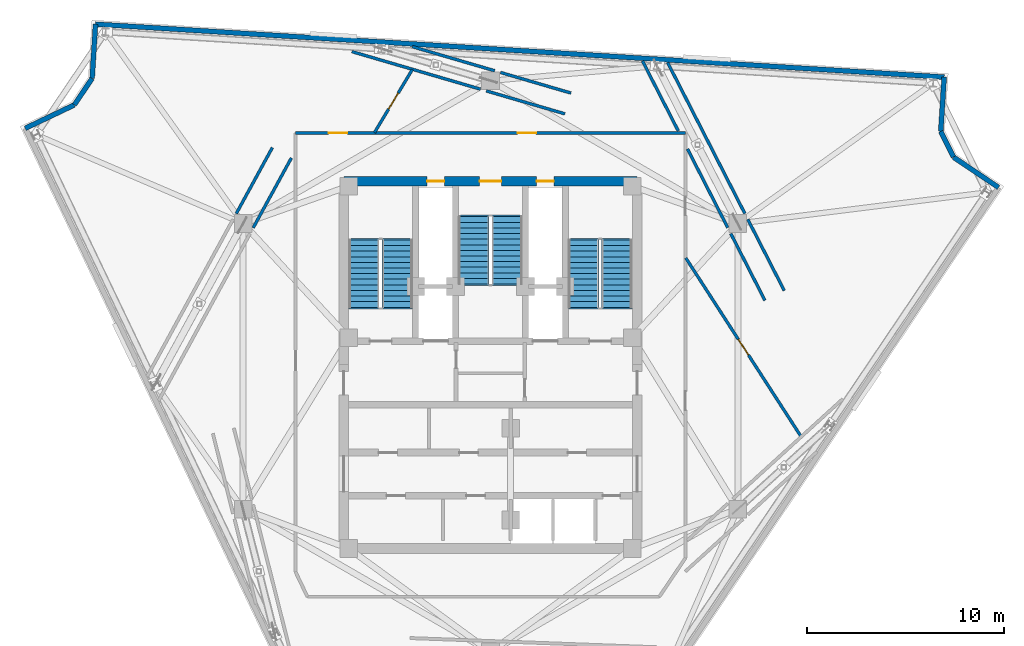
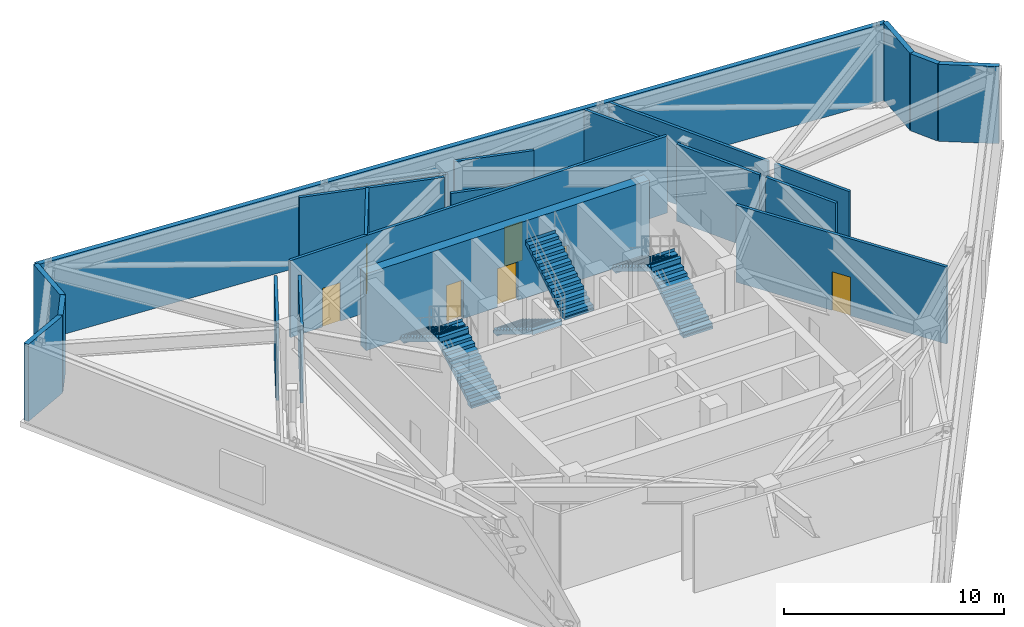
# One storey, part 9 of 11: 22 walls, 7 doors, 6 stair flights, 7 openings, 3 elements without a shape of their own.
"""IFC4 building model written with IfcOpenShell, lengths in metres."""

from ifc_helpers import new_model, si_unit, direction, frame, frame_2d, origin, place, context, subcontext, project, spatial, polyline, rectangle, outline, extrude, material, layer, layer_set, type_object, element, fill, aggregate, save


model = new_model("IFC4")

# Units and contexts
model_context = context("Model", 3, precision=1e-05, world=origin(), true_north=direction((0.0, 1.0)))
body_context = subcontext(model_context, "Body", "Model", "MODEL_VIEW")
ifc_project = project(units=[si_unit("LENGTHUNIT", "METRE"), si_unit("AREAUNIT", "SQUARE_METRE"), si_unit("VOLUMEUNIT", "CUBIC_METRE"), si_unit("PLANEANGLEUNIT", "RADIAN"), si_unit("MASSUNIT", "GRAM", prefix="KILO")], contexts=[model_context])

# Site, building, storey
site_placement = place(None, origin())
site = spatial("IfcSite", under=ifc_project, at=site_placement, CompositionType="ELEMENT")
building_placement = place(site_placement, origin())
building = spatial("IfcBuilding", under=site, at=building_placement, Name="Apsidion Concourse Tower", CompositionType="ELEMENT")
storey_placement = place(building_placement, frame((0.0, 0.0, 328.0)))
storey = spatial("IfcBuildingStorey", under=building, at=storey_placement, Name="L77", CompositionType="ELEMENT", Elevation=328.0)

# Walls
ifc_material_1 = material(Name="Precast concrete C40/50", Category="concrete")
ifc_layer_1 = layer(ifc_material_1, 0.25)
ifc_layer_set_1 = layer_set([ifc_layer_1], Name="Precast concrete C40/50")
wall_type_1 = type_object("IfcWallType", Name="WL-EXT-250", PredefinedType="STANDARD", material=ifc_layer_set_1)
wall_1_placement = place(storey_placement, frame((-20.056396484375, 17.376220703125, 0.0), z_axis=(0.0, 0.0, 1.0), x_axis=(0.998061236898, -0.06223959674, 0.0)))
element("IfcWall", 1, at=wall_1_placement, inside=storey, type_object=wall_type_1, Name="L77 Precast Stone Facade Wall 01", PredefinedType="STANDARD", context=body_context, shape_type="SweptSolid", body=[
    extrude(rectangle(XDim=43.179931640625, YDim=0.25, at=frame_2d((21.58984375, 0.0))), origin(), (0.0, 0.0, 1.0), 4.280029296875),
])
wall_2_placement = place(storey_placement, frame((23.039794921875, 14.688720703125, 0.0), z_axis=(0.0, 0.0, 1.0), x_axis=(-0.062295651102, -0.998057739739, 0.0)))
element("IfcWall", 2, at=wall_2_placement, inside=storey, type_object=wall_type_1, Name="L77 Precast Stone Facade Wall 02", PredefinedType="STANDARD", context=body_context, shape_type="SweptSolid", body=[
    extrude(rectangle(XDim=2.759033203125, YDim=0.25, at=frame_2d((1.37939453125, 0.0))), origin(), (0.0, 0.0, 1.0), 4.280029296875),
])
wall_3_placement = place(storey_placement, frame((22.867919921875, 11.93505859375, 0.0), z_axis=(0.0, 0.0, 1.0), x_axis=(0.441785524615, -0.897120699929, 0.0)))
element("IfcWall", 3, at=wall_3_placement, inside=storey, type_object=wall_type_1, Name="L77 Precast Stone Facade Wall 03", PredefinedType="STANDARD", context=body_context, shape_type="SweptSolid", body=[
    extrude(rectangle(XDim=1.45947265625, YDim=0.25, at=frame_2d((0.729736328125, 0.0))), origin(), (0.0, 0.0, 1.0), 4.280029296875),
])
wall_4_placement = place(storey_placement, frame((23.5126953125, 10.625732421875, 0.0), z_axis=(0.0, 0.0, 1.0), x_axis=(0.829056864924, -0.559164300294, 0.0)))
element("IfcWall", 4, at=wall_4_placement, inside=storey, type_object=wall_type_1, Name="L77 Precast Stone Facade Wall 04", PredefinedType="STANDARD", context=body_context, shape_type="SweptSolid", body=[
    extrude(rectangle(XDim=2.759033203125, YDim=0.25, at=frame_2d((1.37939453125, 0.0))), origin(), (0.0, 0.0, 1.0), 4.280029296875),
])
wall_5_placement = place(storey_placement, frame((-23.62451171875, 12.0869140625, 0.0), z_axis=(0.0, 0.0, 1.0), x_axis=(0.902092306117, 0.431543127909, 0.0)))
element("IfcWall", 5, at=wall_5_placement, inside=storey, type_object=wall_type_1, Name="L77 Precast Stone Facade Wall 10", PredefinedType="STANDARD", context=body_context, shape_type="SweptSolid", body=[
    extrude(rectangle(XDim=2.76025390625, YDim=0.25, at=frame_2d((1.380126953125, 0.0))), origin(), (0.0, 0.0, 1.0), 4.280029296875),
])
wall_6_placement = place(storey_placement, frame((-21.134521484375, 13.278076171875, 0.0), z_axis=(0.0, 0.0, 1.0), x_axis=(0.559107950815, 0.829094867512, 0.0)))
element("IfcWall", 6, at=wall_6_placement, inside=storey, type_object=wall_type_1, Name="L77 Precast Stone Facade Wall 11", PredefinedType="STANDARD", context=body_context, shape_type="SweptSolid", body=[
    extrude(rectangle(XDim=1.620361328125, YDim=0.25, at=frame_2d((0.81005859375, 0.0))), origin(), (0.0, 0.0, 1.0), 4.280029296875),
])
wall_7_placement = place(storey_placement, frame((-20.228515625, 14.62158203125, 0.0), z_axis=(0.0, 0.0, 1.0), x_axis=(0.062361765106, 0.998053610911, 0.0)))
element("IfcWall", 7, at=wall_7_placement, inside=storey, type_object=wall_type_1, Name="L77 Precast Stone Facade Wall 12", PredefinedType="STANDARD", context=body_context, shape_type="SweptSolid", body=[
    extrude(rectangle(XDim=2.760009765625, YDim=0.25, at=frame_2d((1.3798828125, 0.0))), origin(), (0.0, 0.0, 1.0), 4.280029296875),
])

# Wall, openings, doors
ifc_material_2 = material(Name="Gypsum plasterboard partition")
ifc_layer_2 = layer(ifc_material_2, 0.14990234375)
ifc_layer_set_2 = layer_set([ifc_layer_2], Name="Gypsum plasterboard partition")
wall_type_2 = type_object("IfcWallType", Name="WL-INT-PAR-150", PredefinedType="PARTITIONING", material=ifc_layer_set_2)
wall_8_placement = place(storey_placement, frame((-9.89990234375, 11.85009765625, 0.0), z_axis=(0.0, 0.0, 1.0), x_axis=(1.0, 0.0, 0.0)))
wall_8 = element("IfcWall", 8, at=wall_8_placement, inside=storey, type_object=wall_type_2, Name="L77 Interior Partition WL-L77-CORR-01", PredefinedType="PARTITIONING", context=body_context, shape_type="SweptSolid", body=[
    extrude(rectangle(XDim=19.7998046875, YDim=0.14990234375, at=frame_2d((9.89990234375, 0.0))), origin(), (0.0, 0.0, 1.0), 4.280029296875),
])
opening_1_placement = place(wall_8_placement, frame((11.2744140625, 0.0, 0.0)))
opening_1 = element("IfcOpeningElement", 9, at=opening_1_placement, cuts=wall_8, Name="Opening D-01R", PredefinedType="OPENING", context=body_context, shape_type="SweptSolid", body=[
    extrude(rectangle(XDim=0.949951171875, YDim=2.14990234375, at=frame_2d((0.47509765625, 1.074951171875))), frame((0.0, 0.0849609375, 0.0), z_axis=(0.0, -1.0, 0.0), x_axis=(1.0, 0.0, 0.0)), (0.0, 0.0, 1.0), 0.169921875),
])
opening_2_placement = place(wall_8_placement, frame((1.68115234375, 0.0, 0.0)))
opening_2 = element("IfcOpeningElement", 10, at=opening_2_placement, cuts=wall_8, Name="Opening D-01L", PredefinedType="OPENING", context=body_context, shape_type="SweptSolid", body=[
    extrude(rectangle(XDim=0.949951171875, YDim=2.14990234375, at=frame_2d((0.47509765625, 1.074951171875))), frame((0.0, 0.0849609375, 0.0), z_axis=(0.0, -1.0, 0.0), x_axis=(1.0, 0.0, 0.0)), (0.0, 0.0, 1.0), 0.169921875),
])
ifc_material_3 = material(Name="Brushed stainless steel 316", Category="steel")
door_type_1 = type_object("IfcDoorType", Name="DR-INT-D01L", OperationType="SINGLE_SWING_LEFT", PredefinedType="DOOR", material=ifc_material_3)
door_1_placement = place(opening_2_placement, origin())
door_1 = element("IfcDoor", 11, at=door_1_placement, inside=storey, type_object=door_type_1, Name="L77 Corridor Entry Door 05", OperationType="SINGLE_SWING_LEFT", OverallHeight=2.14990234375, OverallWidth=0.949951171875, PredefinedType="DOOR", context=body_context, shape_type="SweptSolid", body=[
    extrude(rectangle(XDim=0.949951171875, YDim=2.14990234375, at=frame_2d((0.47509765625, 1.074951171875))), frame((0.0, 0.02490234375, 0.0), z_axis=(0.0, -1.0, 0.0), x_axis=(1.0, 0.0, 0.0)), (0.0, 0.0, 1.0), 0.050048828125),
])
fill(opening_2, door_1)
door_type_2 = type_object("IfcDoorType", Name="DR-INT-D01R", OperationType="SINGLE_SWING_RIGHT", PredefinedType="DOOR", material=ifc_material_3)
door_2_placement = place(opening_1_placement, origin())
door_2 = element("IfcDoor", 12, at=door_2_placement, inside=storey, type_object=door_type_2, Name="L77 Corridor Entry Door 04", OperationType="SINGLE_SWING_RIGHT", OverallHeight=2.14990234375, OverallWidth=0.949951171875, PredefinedType="DOOR", context=body_context, shape_type="SweptSolid", body=[
    extrude(rectangle(XDim=0.949951171875, YDim=2.14990234375, at=frame_2d((0.47509765625, 1.074951171875))), frame((0.0, 0.02490234375, 0.0), z_axis=(0.0, -1.0, 0.0), x_axis=(1.0, 0.0, 0.0)), (0.0, 0.0, 1.0), 0.050048828125),
])
fill(opening_1, door_2)

# Walls
wall_9_placement = place(storey_placement, frame((14.91650390625, 3.85009765625, 0.0), z_axis=(0.0, 0.0, 1.0), x_axis=(-0.455310465754, 0.890332735428, 0.0)))
element("IfcWall", 13, at=wall_9_placement, inside=storey, type_object=wall_type_2, Name="L77 Interior Partition WL-L77-OTW-03-1-1", PredefinedType="PARTITIONING", context=body_context, shape_type="SweptSolid", body=[
    extrude(rectangle(XDim=4.055419921875, YDim=0.14990234375, at=frame_2d((2.02783203125, 0.0))), origin(), (0.0, 0.0, 1.0), 4.280029296875),
])
wall_10_placement = place(storey_placement, frame((12.9169921875, 7.760009765625, 0.0), z_axis=(0.0, 0.0, 1.0), x_axis=(-0.455340411298, 0.890317420833, 0.0)))
element("IfcWall", 14, at=wall_10_placement, inside=storey, type_object=wall_type_2, Name="L77 Interior Partition WL-L77-OTW-03-1-2", PredefinedType="PARTITIONING", context=body_context, shape_type="SweptSolid", body=[
    extrude(rectangle(XDim=8.608154296875, YDim=0.14990234375, at=frame_2d((4.30419921875, 0.0))), origin(), (0.0, 0.0, 1.0), 4.280029296875),
])
wall_11_placement = place(storey_placement, frame((13.937255859375, 3.34912109375, 0.0), z_axis=(0.0, 0.0, 1.0), x_axis=(-0.455323384795, 0.890326128595, 0.0)))
element("IfcWall", 15, at=wall_11_placement, inside=storey, type_object=wall_type_2, Name="L77 Interior Partition WL-L77-OTW-03-2-1", PredefinedType="PARTITIONING", context=body_context, shape_type="SweptSolid", body=[
    extrude(rectangle(XDim=3.80859375, YDim=0.14990234375, at=frame_2d((1.904296875, 0.0))), origin(), (0.0, 0.0, 1.0), 4.280029296875),
])
wall_12_placement = place(storey_placement, frame((12.050048828125, 7.039306640625, 0.0), z_axis=(0.0, 0.0, 1.0), x_axis=(-0.455348562817, 0.890313251806, 0.0)))
element("IfcWall", 16, at=wall_12_placement, inside=storey, type_object=wall_type_2, Name="L77 Interior Partition WL-L77-OTW-03-2-2", PredefinedType="PARTITIONING", context=body_context, shape_type="SweptSolid", body=[
    extrude(rectangle(XDim=4.491455078125, YDim=0.14990234375, at=frame_2d((2.24560546875, 0.0))), origin(), (0.0, 0.0, 1.0), 4.280029296875),
])
wall_13_placement = place(storey_placement, frame((9.5361328125, 11.955078125, 0.0), z_axis=(0.0, 0.0, 1.0), x_axis=(-0.455353871902, 0.890310536467, 0.0)))
element("IfcWall", 17, at=wall_13_placement, inside=storey, type_object=wall_type_2, Name="L77 Interior Partition WL-L77-OTW-03-2-3", PredefinedType="PARTITIONING", context=body_context, shape_type="SweptSolid", body=[
    extrude(rectangle(XDim=3.98583984375, YDim=0.14990234375, at=frame_2d((1.992919921875, 0.0))), origin(), (0.0, 0.0, 1.0), 4.280029296875),
])
wall_14_placement = place(storey_placement, frame((4.089599609375, 13.877685546875, 0.0), z_axis=(0.0, 0.0, 1.0), x_axis=(-0.959848819323, 0.280517814132, 0.0)))
element("IfcWall", 18, at=wall_14_placement, inside=storey, type_object=wall_type_2, Name="L77 Interior Partition WL-L77-OTW-04-1-1", PredefinedType="PARTITIONING", context=body_context, shape_type="SweptSolid", body=[
    extrude(rectangle(XDim=3.729248046875, YDim=0.14990234375, at=frame_2d((1.86474609375, 0.0))), origin(), (0.0, 0.0, 1.0), 4.280029296875),
])
wall_15_placement = place(storey_placement, frame((0.21533203125, 15.010009765625, 0.0), z_axis=(0.0, 0.0, 1.0), x_axis=(-0.959853703929, 0.280501099917, 0.0)))
element("IfcWall", 19, at=wall_15_placement, inside=storey, type_object=wall_type_2, Name="L77 Interior Partition WL-L77-OTW-04-1-2", PredefinedType="PARTITIONING", context=body_context, shape_type="SweptSolid", body=[
    extrude(rectangle(XDim=4.35888671875, YDim=0.14990234375, at=frame_2d((2.179443359375, 0.0))), origin(), (0.0, 0.0, 1.0), 3.64306640625),
])
wall_16_placement = place(storey_placement, frame((3.781005859375, 12.822021484375, 0.0), z_axis=(0.0, 0.0, 1.0), x_axis=(-0.959856062068, 0.280493030416, 0.0)))
element("IfcWall", 20, at=wall_16_placement, inside=storey, type_object=wall_type_2, Name="L77 Interior Partition WL-L77-OTW-04-2-1", PredefinedType="PARTITIONING", context=body_context, shape_type="SweptSolid", body=[
    extrude(rectangle(XDim=4.1640625, YDim=0.14990234375, at=frame_2d((2.08203125, 0.0))), origin(), (0.0, 0.0, 1.0), 3.327880859375),
])
wall_17_placement = place(storey_placement, frame((-0.510009765625, 14.075927734375, 0.0), z_axis=(0.0, 0.0, 1.0), x_axis=(-0.959853485046, 0.280501848914, 0.0)))
element("IfcWall", 21, at=wall_17_placement, inside=storey, type_object=wall_type_2, Name="L77 Interior Partition WL-L77-OTW-04-2-2", PredefinedType="PARTITIONING", context=body_context, shape_type="SweptSolid", body=[
    extrude(rectangle(XDim=6.79931640625, YDim=0.14990234375, at=frame_2d((3.399658203125, 0.0))), origin(), (0.0, 0.0, 1.0), 4.280029296875),
])
wall_18_placement = place(storey_placement, frame((-11.0751953125, 11.111083984375, 0.0), z_axis=(0.0, 0.0, 1.0), x_axis=(-0.479841556398, -0.877355162265, 0.0)))
element("IfcWall", 22, at=wall_18_placement, inside=storey, type_object=wall_type_2, Name="L77 Interior Partition WL-L77-OTW-05-1-1", PredefinedType="PARTITIONING", context=body_context, shape_type="SweptSolid", body=[
    extrude(rectangle(XDim=3.819580078125, YDim=0.14990234375, at=frame_2d((1.90966796875, 0.0))), origin(), (0.0, 0.0, 1.0), 4.280029296875),
])
wall_19_placement = place(storey_placement, frame((-10.110107421875, 10.583251953125, 0.0), z_axis=(0.0, 0.0, 1.0), x_axis=(-0.47985882828, -0.877345715737, 0.0)))
element("IfcWall", 23, at=wall_19_placement, inside=storey, type_object=wall_type_2, Name="L77 Interior Partition WL-L77-OTW-05-2-1", PredefinedType="PARTITIONING", context=body_context, shape_type="SweptSolid", body=[
    extrude(rectangle(XDim=4.042724609375, YDim=0.14990234375, at=frame_2d((2.021484375, 0.0))), origin(), (0.0, 0.0, 1.0), 4.280029296875),
])

# Wall, opening, door
wall_20_placement = place(storey_placement, frame((15.768310546875, -3.559814453125, 0.0), z_axis=(0.0, 0.0, 1.0), x_axis=(-0.542253184706, 0.840215141304, 0.0)))
wall_20 = element("IfcWall", 24, at=wall_20_placement, inside=storey, type_object=wall_type_2, Name="L77 Interior Partition WL-L77-CHD-PLS01", PredefinedType="PARTITIONING", context=body_context, shape_type="SweptSolid", body=[
    extrude(rectangle(XDim=10.785400390625, YDim=0.14990234375, at=frame_2d((5.392578125, 0.0))), origin(), (0.0, 0.0, 1.0), 4.280029296875),
])
opening_3_placement = place(wall_20_placement, frame((4.91748046875, 0.0, 0.0)))
opening_3 = element("IfcOpeningElement", 25, at=opening_3_placement, cuts=wall_20, Name="Opening D-04L", PredefinedType="OPENING", context=body_context, shape_type="SweptSolid", body=[
    extrude(rectangle(XDim=0.949951171875, YDim=2.14990234375, at=frame_2d((0.47509765625, 1.074951171875))), frame((0.0, 0.0849609375, 0.0), z_axis=(0.0, -1.0, 0.0), x_axis=(1.0, 0.0, 0.0)), (0.0, 0.0, 1.0), 0.169921875),
])
door_type_3 = type_object("IfcDoorType", Name="DR-INT-D04L", OperationType="SINGLE_SWING_LEFT", PredefinedType="DOOR", material=ifc_material_3)
door_3_placement = place(opening_3_placement, origin())
door_3 = element("IfcDoor", 26, at=door_3_placement, inside=storey, type_object=door_type_3, Name="L77 Suite Connecting Door PLS01", OperationType="SINGLE_SWING_LEFT", OverallHeight=2.14990234375, OverallWidth=0.949951171875, PredefinedType="DOOR", context=body_context, shape_type="SweptSolid", body=[
    extrude(rectangle(XDim=0.949951171875, YDim=2.14990234375, at=frame_2d((0.47509765625, 1.074951171875))), frame((0.0, 0.02490234375, 0.0), z_axis=(0.0, -1.0, 0.0), x_axis=(1.0, 0.0, 0.0)), (0.0, 0.0, 1.0), 0.050048828125),
])
fill(opening_3, door_3)

wall_21_placement = place(storey_placement, frame((-3.9716796875, 15.06689453125, 0.0), z_axis=(0.0, 0.0, 1.0), x_axis=(-0.514428337086, -0.857533373113, 0.0)))
wall_21 = element("IfcWall", 27, at=wall_21_placement, inside=storey, type_object=wall_type_2, Name="L77 Interior Partition WL-L77-CHD-PLS02", PredefinedType="PARTITIONING", context=body_context, shape_type="SweptSolid", body=[
    extrude(rectangle(XDim=3.727783203125, YDim=0.14990234375, at=frame_2d((1.86376953125, 0.0))), origin(), (0.0, 0.0, 1.0), 4.280029296875),
])
opening_4_placement = place(wall_21_placement, frame((1.388916015625, 0.0, 0.0)))
opening_4 = element("IfcOpeningElement", 28, at=opening_4_placement, cuts=wall_21, Name="Opening D-04R", PredefinedType="OPENING", context=body_context, shape_type="SweptSolid", body=[
    extrude(rectangle(XDim=0.949951171875, YDim=2.14990234375, at=frame_2d((0.47509765625, 1.074951171875))), frame((0.0, 0.0849609375, 0.0), z_axis=(0.0, -1.0, 0.0), x_axis=(1.0, 0.0, 0.0)), (0.0, 0.0, 1.0), 0.169921875),
])
door_type_4 = type_object("IfcDoorType", Name="DR-INT-D04R", OperationType="SINGLE_SWING_RIGHT", PredefinedType="DOOR", material=ifc_material_3)
door_4_placement = place(opening_4_placement, origin())
door_4 = element("IfcDoor", 29, at=door_4_placement, inside=storey, type_object=door_type_4, Name="L77 Suite Connecting Door PLS02", OperationType="SINGLE_SWING_RIGHT", OverallHeight=2.14990234375, OverallWidth=0.949951171875, PredefinedType="DOOR", context=body_context, shape_type="SweptSolid", body=[
    extrude(rectangle(XDim=0.949951171875, YDim=2.14990234375, at=frame_2d((0.47509765625, 1.074951171875))), frame((0.0, 0.02490234375, 0.0), z_axis=(0.0, -1.0, 0.0), x_axis=(1.0, 0.0, 0.0)), (0.0, 0.0, 1.0), 0.050048828125),
])
fill(opening_4, door_4)

# Wall, openings, doors
ifc_material_4 = material(Name="Concrete C50/60", Category="concrete")
ifc_layer_3 = layer(ifc_material_4, 0.5)
ifc_layer_set_3 = layer_set([ifc_layer_3], Name="Concrete C50/60")
wall_type_3 = type_object("IfcWallType", Name="WL-SH-500", PredefinedType="SHEAR", material=ifc_layer_set_3)
wall_22_placement = place(storey_placement, frame((-7.449951171875, 9.39990234375, 0.0), z_axis=(0.0, 0.0, 1.0), x_axis=(1.0, 0.0, 0.0)))
wall_22 = element("IfcWall", 30, at=wall_22_placement, inside=storey, type_object=wall_type_3, Name="L77 Central Core Shear Wall N", PredefinedType="SHEAR", context=body_context, shape_type="SweptSolid", body=[
    extrude(rectangle(XDim=14.89990234375, YDim=0.5, at=frame_2d((7.449951171875, 0.0))), origin(), (0.0, 0.0, 1.0), 4.280029296875),
])
opening_5_placement = place(wall_22_placement, frame((6.89990234375, 0.0, 0.0)))
opening_5 = element("IfcOpeningElement", 31, at=opening_5_placement, cuts=wall_22, Name="Opening D-STL", PredefinedType="OPENING", context=body_context, shape_type="SweptSolid", body=[
    extrude(rectangle(XDim=1.10009765625, YDim=2.14990234375, at=frame_2d((0.550048828125, 1.074951171875))), frame((0.0, 0.260009765625, 0.0), z_axis=(0.0, -1.0, 0.0), x_axis=(1.0, 0.0, 0.0)), (0.0, 0.0, 1.0), 0.52001953125),
])
opening_6_placement = place(wall_22_placement, frame((4.22998046875, 0.0, 0.0)))
opening_6 = element("IfcOpeningElement", 32, at=opening_6_placement, cuts=wall_22, Name="Opening D-05L", PredefinedType="OPENING", context=body_context, shape_type="SweptSolid", body=[
    extrude(rectangle(XDim=0.8798828125, YDim=2.14990234375, at=frame_2d((0.43994140625, 1.074951171875))), frame((0.0, 0.260009765625, 0.0), z_axis=(0.0, -1.0, 0.0), x_axis=(1.0, 0.0, 0.0)), (0.0, 0.0, 1.0), 0.52001953125),
])
opening_7_placement = place(wall_22_placement, frame((9.7900390625, 0.0, 0.0)))
opening_7 = element("IfcOpeningElement", 33, at=opening_7_placement, cuts=wall_22, Name="Opening D-05R", PredefinedType="OPENING", context=body_context, shape_type="SweptSolid", body=[
    extrude(rectangle(XDim=0.8798828125, YDim=2.14990234375, at=frame_2d((0.43994140625, 1.074951171875))), frame((0.0, 0.260009765625, 0.0), z_axis=(0.0, -1.0, 0.0), x_axis=(1.0, 0.0, 0.0)), (0.0, 0.0, 1.0), 0.52001953125),
])
door_type_5 = type_object("IfcDoorType", Name="DR-INT-D05L", OperationType="SINGLE_SWING_LEFT", PredefinedType="DOOR", material=ifc_material_3)
door_5_placement = place(opening_6_placement, origin())
door_5 = element("IfcDoor", 34, at=door_5_placement, inside=storey, type_object=door_type_5, Name="L77 Electrical Riser Shaft Access Door", OperationType="SINGLE_SWING_LEFT", OverallHeight=2.14990234375, OverallWidth=0.8798828125, PredefinedType="DOOR", context=body_context, shape_type="SweptSolid", body=[
    extrude(rectangle(XDim=0.8798828125, YDim=2.14990234375, at=frame_2d((0.43994140625, 1.074951171875))), frame((0.0, 0.02490234375, 0.0), z_axis=(0.0, -1.0, 0.0), x_axis=(1.0, 0.0, 0.0)), (0.0, 0.0, 1.0), 0.050048828125),
])
fill(opening_6, door_5)
door_type_6 = type_object("IfcDoorType", Name="DR-INT-D05R", OperationType="SINGLE_SWING_RIGHT", PredefinedType="DOOR", material=ifc_material_3)
door_6_placement = place(opening_7_placement, origin())
door_6 = element("IfcDoor", 35, at=door_6_placement, inside=storey, type_object=door_type_6, Name="L77 Mechanical Riser Shaft Access Door", OperationType="SINGLE_SWING_RIGHT", OverallHeight=2.14990234375, OverallWidth=0.8798828125, PredefinedType="DOOR", context=body_context, shape_type="SweptSolid", body=[
    extrude(rectangle(XDim=0.8798828125, YDim=2.14990234375, at=frame_2d((0.43994140625, 1.074951171875))), frame((0.0, 0.02490234375, 0.0), z_axis=(0.0, -1.0, 0.0), x_axis=(1.0, 0.0, 0.0)), (0.0, 0.0, 1.0), 0.050048828125),
])
fill(opening_7, door_6)
door_type_7 = type_object("IfcDoorType", Name="DR-INT-ST1L", OperationType="SINGLE_SWING_LEFT", PredefinedType="DOOR", material=ifc_material_3)
door_7_placement = place(opening_5_placement, origin())
door_7 = element("IfcDoor", 36, at=door_7_placement, inside=storey, type_object=door_type_7, Name="L77 Core Exit Stair ST3 Door", OperationType="SINGLE_SWING_LEFT", OverallHeight=2.14990234375, OverallWidth=1.10009765625, PredefinedType="DOOR", context=body_context, shape_type="SweptSolid", body=[
    extrude(rectangle(XDim=1.10009765625, YDim=2.14990234375, at=frame_2d((0.550048828125, 1.074951171875))), frame((0.0, 0.02490234375, 0.0), z_axis=(0.0, -1.0, 0.0), x_axis=(1.0, 0.0, 0.0)), (0.0, 0.0, 1.0), 0.050048828125),
])
fill(opening_5, door_7)

# Stair, stair flights
stair_type = type_object("IfcStairType", Name="ST-DL-1550", PredefinedType="HALF_TURN_STAIR", material=ifc_material_1)
stair_1_placement = place(storey_placement, origin())
stair_1 = element("IfcStair", 37, at=stair_1_placement, inside=storey, type_object=stair_type, Name="L77 Protected Core Exit Stair ST1", PredefinedType="HALF_TURN_STAIR")
stair_flight_type = type_object("IfcStairFlightType", Name="SFL-RC-1550", PredefinedType="STRAIGHT", material=ifc_material_1)
stair_flight_1_placement = place(storey_placement, frame((-4.72509765625, 3.0, 0.0), z_axis=(0.0, 0.0, 1.0), x_axis=(0.0, 1.0, 0.0)))
stair_flight_1 = element("IfcStairFlight", 38, at=stair_flight_1_placement, type_object=stair_flight_type, Name="ST1 flight 1", NumberOfRisers=13, NumberOfTreads=12, PredefinedType="STRAIGHT", RiserHeight=0.173076923, TreadLength=0.285, context=body_context, shape_type="SweptSolid", body=[
    extrude(outline(polyline([(-0.080078125, -0.1123046875), (-0.080078125, 0.0), (0.0, 0.0), (0.0, 0.173095703125), (0.284912109375, 0.173095703125), (0.284912109375, 0.34619140625), (0.570068359375, 0.34619140625), (0.570068359375, 0.519287109375), (0.85498046875, 0.519287109375), (0.85498046875, 0.6923828125), (1.139892578125, 0.6923828125), (1.139892578125, 0.865478515625), (1.425048828125, 0.865478515625), (1.425048828125, 1.03857421875), (1.7099609375, 1.03857421875), (1.7099609375, 1.21142578125), (1.9951171875, 1.21142578125), (1.9951171875, 1.384521484375), (2.280029296875, 1.384521484375), (2.280029296875, 1.5576171875), (2.56494140625, 1.5576171875), (2.56494140625, 1.730712890625), (2.85009765625, 1.730712890625), (2.85009765625, 1.90380859375), (3.135009765625, 1.90380859375), (3.135009765625, 2.076904296875), (3.419921875, 2.076904296875), (3.419921875, 2.25), (3.5, 2.16357421875), (3.5, 1.901611328125), (3.419921875, 1.901611328125), (0.288818359375, 0.0), (0.288818359375, -0.1123046875), (-0.080078125, -0.1123046875)])), frame((0.0, 0.77490234375, 0.0), z_axis=(0.0, -1.0, 0.0), x_axis=(1.0, 0.0, 0.0)), (0.0, 0.0, 1.0), 1.550048828125),
])
stair_flight_2_placement = place(storey_placement, frame((-6.425048828125, 6.419921875, 2.25), z_axis=(0.0, 0.0, 1.0), x_axis=(0.0, -1.0, 0.0)))
stair_flight_2 = element("IfcStairFlight", 39, at=stair_flight_2_placement, type_object=stair_flight_type, Name="ST1 flight 2", NumberOfRisers=13, NumberOfTreads=12, PredefinedType="STRAIGHT", RiserHeight=0.173076923, TreadLength=0.285, context=body_context, shape_type="SweptSolid", body=[
    extrude(outline(polyline([(-0.080078125, -0.1123046875), (-0.080078125, 0.0), (0.0, 0.0), (0.0, 0.173095703125), (0.284912109375, 0.173095703125), (0.284912109375, 0.34619140625), (0.570068359375, 0.34619140625), (0.570068359375, 0.519287109375), (0.85498046875, 0.519287109375), (0.85498046875, 0.6923828125), (1.139892578125, 0.6923828125), (1.139892578125, 0.865478515625), (1.425048828125, 0.865478515625), (1.425048828125, 1.03857421875), (1.7099609375, 1.03857421875), (1.7099609375, 1.21142578125), (1.9951171875, 1.21142578125), (1.9951171875, 1.384521484375), (2.280029296875, 1.384521484375), (2.280029296875, 1.5576171875), (2.56494140625, 1.5576171875), (2.56494140625, 1.730712890625), (2.85009765625, 1.730712890625), (2.85009765625, 1.90380859375), (3.135009765625, 1.90380859375), (3.135009765625, 2.076904296875), (3.419921875, 2.076904296875), (3.419921875, 2.25), (3.5, 2.16357421875), (3.5, 1.901611328125), (3.419921875, 1.901611328125), (0.288818359375, 0.0), (0.288818359375, -0.1123046875), (-0.080078125, -0.1123046875)])), frame((0.0, 0.77490234375, 0.0), z_axis=(0.0, -1.0, 0.0), x_axis=(1.0, 0.0, 0.0)), (0.0, 0.0, 1.0), 1.550048828125),
])
aggregate(stair_1, [stair_flight_1, stair_flight_2])

stair_2_placement = place(storey_placement, origin())
stair_2 = element("IfcStair", 40, at=stair_2_placement, inside=storey, type_object=stair_type, Name="L77 Protected Core Exit Stair ST2", PredefinedType="HALF_TURN_STAIR")
stair_flight_3_placement = place(storey_placement, frame((6.425048828125, 3.0, 0.0), z_axis=(0.0, 0.0, 1.0), x_axis=(0.0, 1.0, 0.0)))
stair_flight_3 = element("IfcStairFlight", 41, at=stair_flight_3_placement, type_object=stair_flight_type, Name="ST2 flight 1", NumberOfRisers=13, NumberOfTreads=12, PredefinedType="STRAIGHT", RiserHeight=0.173076923, TreadLength=0.285, context=body_context, shape_type="SweptSolid", body=[
    extrude(outline(polyline([(-0.080078125, -0.1123046875), (-0.080078125, 0.0), (0.0, 0.0), (0.0, 0.173095703125), (0.284912109375, 0.173095703125), (0.284912109375, 0.34619140625), (0.570068359375, 0.34619140625), (0.570068359375, 0.519287109375), (0.85498046875, 0.519287109375), (0.85498046875, 0.6923828125), (1.139892578125, 0.6923828125), (1.139892578125, 0.865478515625), (1.425048828125, 0.865478515625), (1.425048828125, 1.03857421875), (1.7099609375, 1.03857421875), (1.7099609375, 1.21142578125), (1.9951171875, 1.21142578125), (1.9951171875, 1.384521484375), (2.280029296875, 1.384521484375), (2.280029296875, 1.5576171875), (2.56494140625, 1.5576171875), (2.56494140625, 1.730712890625), (2.85009765625, 1.730712890625), (2.85009765625, 1.90380859375), (3.135009765625, 1.90380859375), (3.135009765625, 2.076904296875), (3.419921875, 2.076904296875), (3.419921875, 2.25), (3.5, 2.16357421875), (3.5, 1.901611328125), (3.419921875, 1.901611328125), (0.288818359375, 0.0), (0.288818359375, -0.1123046875), (-0.080078125, -0.1123046875)])), frame((0.0, 0.77490234375, 0.0), z_axis=(0.0, -1.0, 0.0), x_axis=(1.0, 0.0, 0.0)), (0.0, 0.0, 1.0), 1.550048828125),
])
stair_flight_4_placement = place(storey_placement, frame((4.72509765625, 6.419921875, 2.25), z_axis=(0.0, 0.0, 1.0), x_axis=(0.0, -1.0, 0.0)))
stair_flight_4 = element("IfcStairFlight", 42, at=stair_flight_4_placement, type_object=stair_flight_type, Name="ST2 flight 2", NumberOfRisers=13, NumberOfTreads=12, PredefinedType="STRAIGHT", RiserHeight=0.173076923, TreadLength=0.285, context=body_context, shape_type="SweptSolid", body=[
    extrude(outline(polyline([(-0.080078125, -0.1123046875), (-0.080078125, 0.0), (0.0, 0.0), (0.0, 0.173095703125), (0.284912109375, 0.173095703125), (0.284912109375, 0.34619140625), (0.570068359375, 0.34619140625), (0.570068359375, 0.519287109375), (0.85498046875, 0.519287109375), (0.85498046875, 0.6923828125), (1.139892578125, 0.6923828125), (1.139892578125, 0.865478515625), (1.425048828125, 0.865478515625), (1.425048828125, 1.03857421875), (1.7099609375, 1.03857421875), (1.7099609375, 1.21142578125), (1.9951171875, 1.21142578125), (1.9951171875, 1.384521484375), (2.280029296875, 1.384521484375), (2.280029296875, 1.5576171875), (2.56494140625, 1.5576171875), (2.56494140625, 1.730712890625), (2.85009765625, 1.730712890625), (2.85009765625, 1.90380859375), (3.135009765625, 1.90380859375), (3.135009765625, 2.076904296875), (3.419921875, 2.076904296875), (3.419921875, 2.25), (3.5, 2.16357421875), (3.5, 1.901611328125), (3.419921875, 1.901611328125), (0.288818359375, 0.0), (0.288818359375, -0.1123046875), (-0.080078125, -0.1123046875)])), frame((0.0, 0.77490234375, 0.0), z_axis=(0.0, -1.0, 0.0), x_axis=(1.0, 0.0, 0.0)), (0.0, 0.0, 1.0), 1.550048828125),
])
aggregate(stair_2, [stair_flight_3, stair_flight_4])

stair_3_placement = place(storey_placement, origin())
stair_3 = element("IfcStair", 43, at=stair_3_placement, inside=storey, type_object=stair_type, Name="L77 Protected Core Exit Stair ST3", PredefinedType="HALF_TURN_STAIR")
stair_flight_5_placement = place(storey_placement, frame((-0.85009765625, 7.60009765625, 0.0), z_axis=(0.0, 0.0, 1.0), x_axis=(0.0, -1.0, 0.0)))
stair_flight_5 = element("IfcStairFlight", 44, at=stair_flight_5_placement, type_object=stair_flight_type, Name="ST3 flight 1", NumberOfRisers=13, NumberOfTreads=12, PredefinedType="STRAIGHT", RiserHeight=0.173076923, TreadLength=0.285, context=body_context, shape_type="SweptSolid", body=[
    extrude(outline(polyline([(-0.080078125, -0.1123046875), (-0.080078125, 0.0), (0.0, 0.0), (0.0, 0.173095703125), (0.284912109375, 0.173095703125), (0.284912109375, 0.34619140625), (0.570068359375, 0.34619140625), (0.570068359375, 0.519287109375), (0.85498046875, 0.519287109375), (0.85498046875, 0.6923828125), (1.139892578125, 0.6923828125), (1.139892578125, 0.865478515625), (1.425048828125, 0.865478515625), (1.425048828125, 1.03857421875), (1.7099609375, 1.03857421875), (1.7099609375, 1.21142578125), (1.9951171875, 1.21142578125), (1.9951171875, 1.384521484375), (2.280029296875, 1.384521484375), (2.280029296875, 1.5576171875), (2.56494140625, 1.5576171875), (2.56494140625, 1.730712890625), (2.85009765625, 1.730712890625), (2.85009765625, 1.90380859375), (3.135009765625, 1.90380859375), (3.135009765625, 2.076904296875), (3.419921875, 2.076904296875), (3.419921875, 2.25), (3.5, 2.16357421875), (3.5, 1.901611328125), (3.419921875, 1.901611328125), (0.288818359375, 0.0), (0.288818359375, -0.1123046875), (-0.080078125, -0.1123046875)])), frame((0.0, 0.77490234375, 0.0), z_axis=(0.0, -1.0, 0.0), x_axis=(1.0, 0.0, 0.0)), (0.0, 0.0, 1.0), 1.550048828125),
])
stair_flight_6_placement = place(storey_placement, frame((0.85009765625, 4.179931640625, 2.25), z_axis=(0.0, 0.0, 1.0), x_axis=(0.0, 1.0, 0.0)))
stair_flight_6 = element("IfcStairFlight", 45, at=stair_flight_6_placement, type_object=stair_flight_type, Name="ST3 flight 2", NumberOfRisers=13, NumberOfTreads=12, PredefinedType="STRAIGHT", RiserHeight=0.173076923, TreadLength=0.285, context=body_context, shape_type="SweptSolid", body=[
    extrude(outline(polyline([(-0.080078125, -0.1123046875), (-0.080078125, 0.0), (0.0, 0.0), (0.0, 0.173095703125), (0.284912109375, 0.173095703125), (0.284912109375, 0.34619140625), (0.570068359375, 0.34619140625), (0.570068359375, 0.519287109375), (0.85498046875, 0.519287109375), (0.85498046875, 0.6923828125), (1.139892578125, 0.6923828125), (1.139892578125, 0.865478515625), (1.425048828125, 0.865478515625), (1.425048828125, 1.03857421875), (1.7099609375, 1.03857421875), (1.7099609375, 1.21142578125), (1.9951171875, 1.21142578125), (1.9951171875, 1.384521484375), (2.280029296875, 1.384521484375), (2.280029296875, 1.5576171875), (2.56494140625, 1.5576171875), (2.56494140625, 1.730712890625), (2.85009765625, 1.730712890625), (2.85009765625, 1.90380859375), (3.135009765625, 1.90380859375), (3.135009765625, 2.076904296875), (3.419921875, 2.076904296875), (3.419921875, 2.25), (3.5, 2.16357421875), (3.5, 1.901611328125), (3.419921875, 1.901611328125), (0.288818359375, 0.0), (0.288818359375, -0.1123046875), (-0.080078125, -0.1123046875)])), frame((0.0, 0.77490234375, 0.0), z_axis=(0.0, -1.0, 0.0), x_axis=(1.0, 0.0, 0.0)), (0.0, 0.0, 1.0), 1.550048828125),
])
aggregate(stair_3, [stair_flight_5, stair_flight_6])

save(model, "model.ifc")
